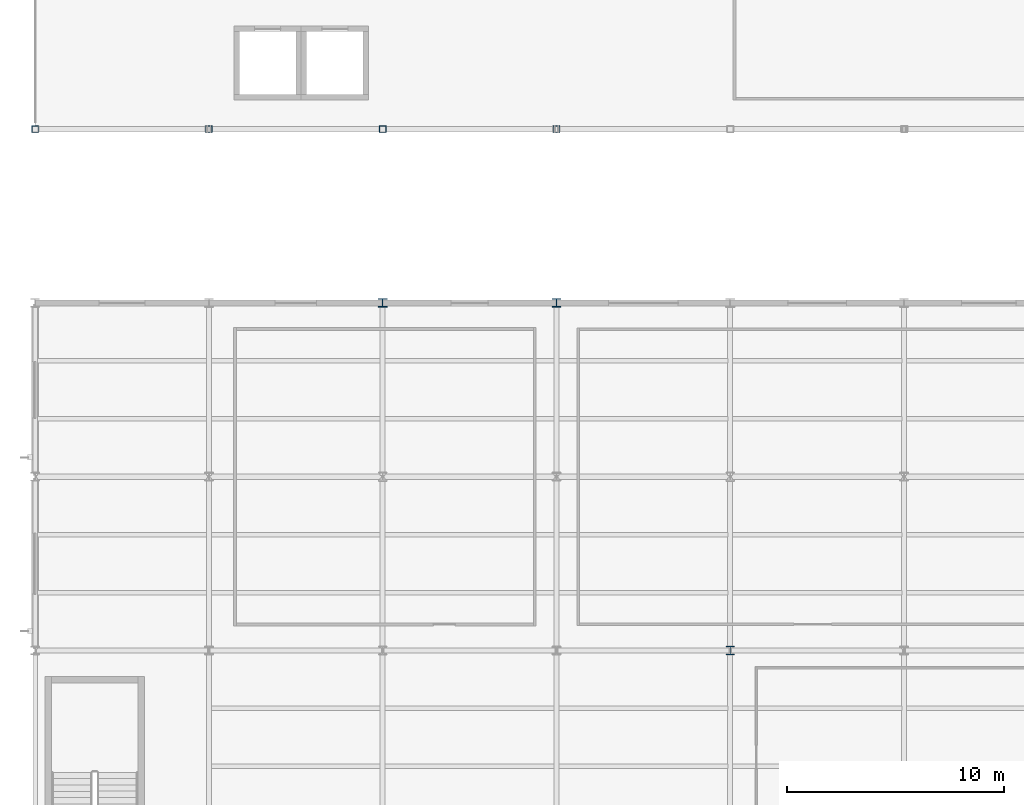
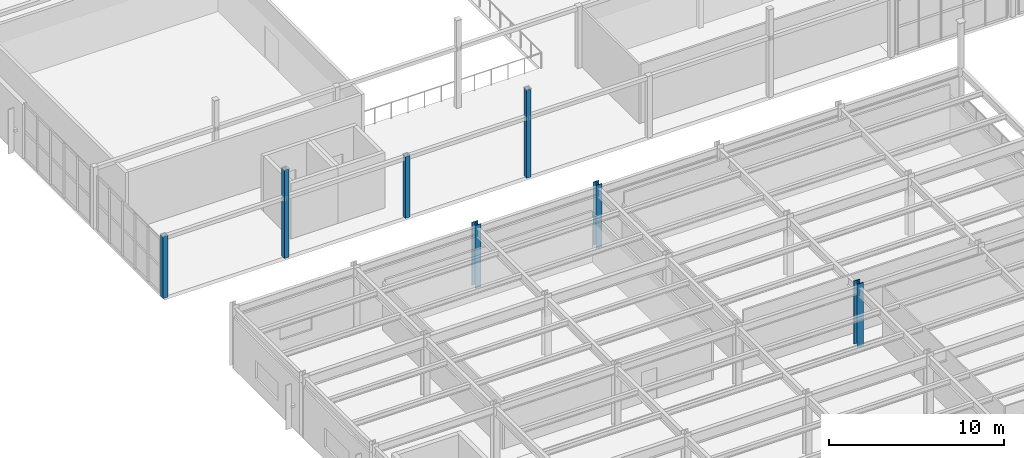
# One storey, part 2 of 83: 7 columns.
"""IFC4 building model written with IfcOpenShell, lengths in metres."""

from ifc_helpers import new_model, si_unit, direction, frame, origin, origin_2d, place, context, subcontext, project, spatial, hollow_rectangle, i_section, extrude, material, material_profile, profile_set, type_object, element, save


model = new_model("IFC4")

# Units and contexts
model_context = context("Model", 3, precision=1e-05, world=origin(), true_north=direction((0.0, 1.0)))
body_context = subcontext(model_context, "Body", "Model", "MODEL_VIEW")
ifc_project = project(units=[si_unit("LENGTHUNIT", "METRE"), si_unit("AREAUNIT", "SQUARE_METRE"), si_unit("VOLUMEUNIT", "CUBIC_METRE"), si_unit("PLANEANGLEUNIT", "RADIAN"), si_unit("MASSUNIT", "GRAM", prefix="KILO")], contexts=[model_context])

# Site, building, storey
site_placement = place(None, origin())
site = spatial("IfcSite", under=ifc_project, at=site_placement, CompositionType="ELEMENT")
building_placement = place(site_placement, origin())
building = spatial("IfcBuilding", under=site, at=building_placement, Name="Drelvath Fold Interchange", CompositionType="ELEMENT")
storey_placement = place(building_placement, frame((0.0, 0.0, 11.199951171875)))
storey = spatial("IfcBuildingStorey", under=building, at=storey_placement, Name="L02", CompositionType="ELEMENT", Elevation=11.199951171875)

# Columns
ifc_material_1 = material(Name="Steel ASTM A500 Grade C", Category="steel")
ifc_material_profile_1 = material_profile(ifc_material_1, hollow_rectangle(XDim=0.304931640625, YDim=0.304931640625, WallThickness=0.01171875, at=origin_2d()), Name="HSS12X12X1/2")
ifc_profile_set_1 = profile_set([ifc_material_profile_1], Name="Steel ASTM A500 Grade C")
column_type_1 = type_object("IfcColumnType", Name="COL-HSS305", PredefinedType="COLUMN", material=ifc_profile_set_1)
column_1_placement = place(storey_placement, frame((4.0, 59.0, 0.0), z_axis=(0.0, 0.0, 1.0), x_axis=(1.0, 0.0, 0.0)))
element("IfcColumn", 1, at=column_1_placement, inside=storey, type_object=column_type_1, Name="L02 column (4,59)", PredefinedType="COLUMN", context=body_context, shape_type="SweptSolid", body=[
    extrude(hollow_rectangle(XDim=0.304931640625, YDim=0.304931640625, WallThickness=0.01171875, at=origin_2d()), origin(), (0.0, 0.0, 1.0), 4.300048828125),
])
column_2_placement = place(storey_placement, frame((12.0, 59.0, 0.0), z_axis=(0.0, 0.0, 1.0), x_axis=(1.0, 0.0, 0.0)))
element("IfcColumn", 2, at=column_2_placement, inside=storey, type_object=column_type_1, Name="L02 column (12,59)", PredefinedType="COLUMN", context=body_context, shape_type="SweptSolid", body=[
    extrude(hollow_rectangle(XDim=0.304931640625, YDim=0.304931640625, WallThickness=0.01171875, at=origin_2d()), origin(), (0.0, 0.0, 1.0), 6.150146484375),
])
column_3_placement = place(storey_placement, frame((20.0, 59.0, 0.0), z_axis=(0.0, 0.0, 1.0), x_axis=(1.0, 0.0, 0.0)))
element("IfcColumn", 3, at=column_3_placement, inside=storey, type_object=column_type_1, Name="L02 column (20,59)", PredefinedType="COLUMN", context=body_context, shape_type="SweptSolid", body=[
    extrude(hollow_rectangle(XDim=0.304931640625, YDim=0.304931640625, WallThickness=0.01171875, at=origin_2d()), origin(), (0.0, 0.0, 1.0), 4.300048828125),
])
column_4_placement = place(storey_placement, frame((28.0, 59.0, 0.0), z_axis=(0.0, 0.0, 1.0), x_axis=(1.0, 0.0, 0.0)))
element("IfcColumn", 4, at=column_4_placement, inside=storey, type_object=column_type_1, Name="L02 column (28,59)", PredefinedType="COLUMN", context=body_context, shape_type="SweptSolid", body=[
    extrude(hollow_rectangle(XDim=0.304931640625, YDim=0.304931640625, WallThickness=0.01171875, at=origin_2d()), origin(), (0.0, 0.0, 1.0), 6.150146484375),
])
ifc_material_2 = material(Name="Steel ASTM A992 Grade 50", Category="steel")
ifc_material_profile_2 = material_profile(ifc_material_2, i_section(OverallWidth=0.39892578125, OverallDepth=0.39306640625, WebThickness=0.022705078125, FlangeThickness=0.03662109375, at=origin_2d()), Name="W14X193")
ifc_profile_set_2 = profile_set([ifc_material_profile_2], Name="Steel ASTM A992 Grade 50")
column_type_2 = type_object("IfcColumnType", Name="COL-W14X193", PredefinedType="COLUMN", material=ifc_profile_set_2)
for number, where, z_axis, x_axis, name in (
    (5, (20.0, 51.0, 0.0), (0.0, 0.0, 1.0), (1.0, 0.0, 0.0), "L02 column (20,51)"),
    (6, (28.0, 51.0, 0.0), (0.0, 0.0, 1.0), (1.0, 0.0, 0.0), "L02 column (28,51)"),
):
    element("IfcColumn", number, at=place(storey_placement, frame(where, z_axis=z_axis, x_axis=x_axis)), inside=storey, type_object=column_type_2, Name=name, PredefinedType="COLUMN", context=body_context, shape_type="SweptSolid", body=[
        extrude(i_section(OverallWidth=0.39892578125, OverallDepth=0.39306640625, WebThickness=0.022705078125, FlangeThickness=0.03662109375, at=origin_2d()), origin(), (0.0, 0.0, 1.0), 4.400146484375),
    ])
ifc_material_profile_3 = material_profile(ifc_material_2, i_section(OverallWidth=0.408935546875, OverallDepth=0.425048828125, WebThickness=0.03271484375, FlangeThickness=0.052490234375, at=origin_2d()), Name="W14X283")
ifc_profile_set_3 = profile_set([ifc_material_profile_3], Name="Steel ASTM A992 Grade 50")
column_type_3 = type_object("IfcColumnType", Name="COL-W14X283", PredefinedType="COLUMN", material=ifc_profile_set_3)
column_5_placement = place(storey_placement, frame((36.0, 35.0, 0.0), z_axis=(0.0, 0.0, 1.0), x_axis=(1.0, 0.0, 0.0)))
element("IfcColumn", 7, at=column_5_placement, inside=storey, type_object=column_type_3, Name="L02 column (36,35)", PredefinedType="COLUMN", context=body_context, shape_type="SweptSolid", body=[
    extrude(i_section(OverallWidth=0.408935546875, OverallDepth=0.425048828125, WebThickness=0.03271484375, FlangeThickness=0.052490234375, at=origin_2d()), origin(), (0.0, 0.0, 1.0), 4.400146484375),
])

save(model, "model.ifc")
